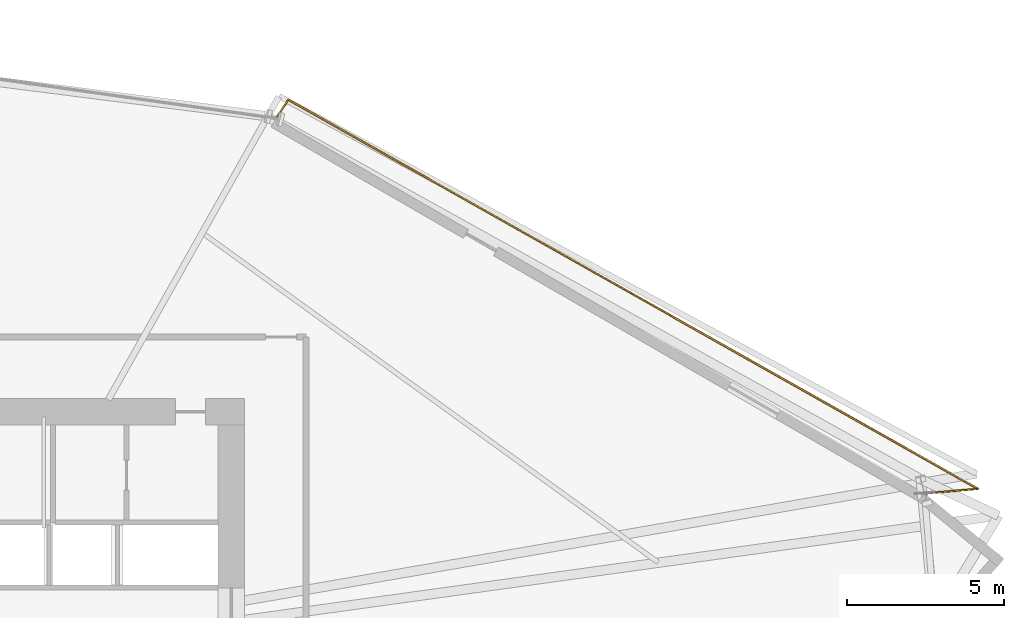
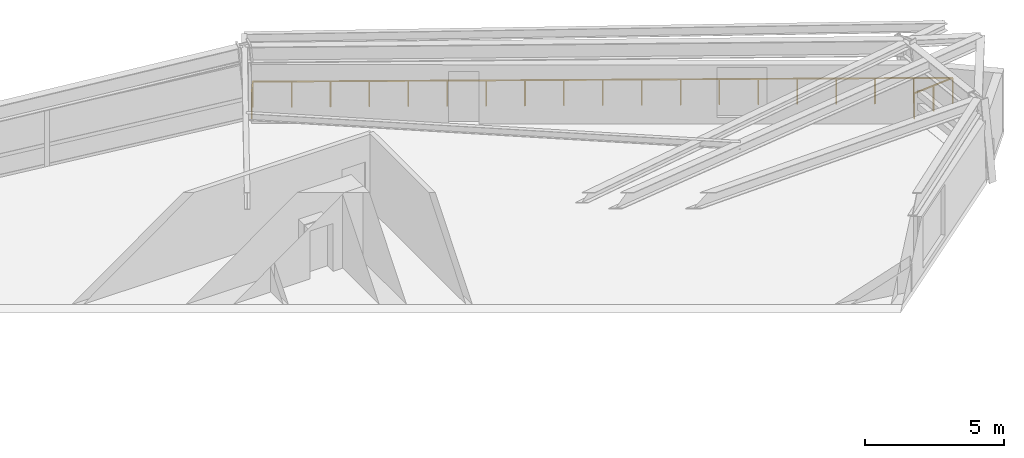
# One storey, part 21 of 21: 1 railing.
"""IFC4 building model written with IfcOpenShell, lengths in metres."""

from ifc_helpers import new_model, si_unit, direction, frame, origin, origin_2d, place, context, subcontext, project, spatial, rectangle, extrude, material, type_object, element, save


model = new_model("IFC4")

# Units and contexts
model_context = context("Model", 3, precision=1e-05, world=origin(), true_north=direction((0.0, 1.0)))
body_context = subcontext(model_context, "Body", "Model", "MODEL_VIEW")
ifc_project = project(units=[si_unit("LENGTHUNIT", "METRE"), si_unit("AREAUNIT", "SQUARE_METRE"), si_unit("VOLUMEUNIT", "CUBIC_METRE"), si_unit("PLANEANGLEUNIT", "RADIAN"), si_unit("MASSUNIT", "GRAM", prefix="KILO")], contexts=[model_context])

# Site, building, storey
site_placement = place(None, origin())
site = spatial("IfcSite", under=ifc_project, at=site_placement, CompositionType="ELEMENT")
building_placement = place(site_placement, origin())
building = spatial("IfcBuilding", under=site, at=building_placement, Name="Olszyna Solenne Hotel", CompositionType="ELEMENT")
storey_placement = place(building_placement, frame((0.0, 0.0, 54.14990234375)))
storey = spatial("IfcBuildingStorey", under=building, at=storey_placement, Name="L13", CompositionType="ELEMENT", Elevation=54.14990234375)

# Railing
ifc_material = material(Name="Anodised bronze aluminium", Category="aluminium")
railing_type = type_object("IfcRailingType", Name="GR-110", PredefinedType="BALUSTRADE", material=ifc_material)
railing_placement = place(storey_placement, frame((68.379638671875, 31.526123046875, 0.0)))
element("IfcRailing", 1, at=railing_placement, inside=storey, type_object=railing_type, Name="Loggia balcony balustrade guard GR-L13-LG1", PredefinedType="BALUSTRADE", context=body_context, shape_type="SweptSolid", body=[
    extrude(rectangle(XDim=0.048095703125, YDim=0.048095703125, at=origin_2d()), frame((0.0, 0.0, 1.1259765625), z_axis=(0.996306897743, 0.085863644866, 0.0), x_axis=(-0.085863644866, 0.996306897743, 0.0)), (0.0, 0.0, 1.0), 1.69189453125),
    extrude(rectangle(XDim=0.048095703125, YDim=0.048095703125, at=origin_2d()), frame((1.685546875, 0.145263671875, 1.1259765625), z_axis=(-0.870787019027, 0.491660418882, 0.0), x_axis=(-0.491660418882, -0.870787019027, 0.0)), (0.0, 0.0, 1.0), 25.18115234375),
    extrude(rectangle(XDim=0.048095703125, YDim=0.048095703125, at=origin_2d()), frame((-20.241943359375, 12.52587890625, 1.1259765625), z_axis=(-0.549686038114, -0.835371330309, 0.0), x_axis=(0.835371330309, -0.549686038114, 0.0)), (0.0, 0.0, 1.0), 0.709228515625),
    extrude(rectangle(XDim=0.0419921875, YDim=0.0419921875, at=origin_2d()), origin(), (0.0, 0.0, 1.0), 1.101806640625),
    extrude(rectangle(XDim=0.0419921875, YDim=0.0419921875, at=origin_2d()), frame((0.8427734375, 0.07275390625, 0.0)), (0.0, 0.0, 1.0), 1.101806640625),
    extrude(rectangle(XDim=0.0419921875, YDim=0.0419921875, at=origin_2d()), frame((1.685546875, 0.145263671875, 0.0)), (0.0, 0.0, 1.0), 1.101806640625),
    extrude(rectangle(XDim=0.0419921875, YDim=0.0419921875, at=origin_2d()), frame((0.46728515625, 0.8330078125, 0.0)), (0.0, 0.0, 1.0), 1.101806640625),
    extrude(rectangle(XDim=0.0419921875, YDim=0.0419921875, at=origin_2d()), frame((-0.750732421875, 1.52099609375, 0.0)), (0.0, 0.0, 1.0), 1.101806640625),
    extrude(rectangle(XDim=0.0419921875, YDim=0.0419921875, at=origin_2d()), frame((-1.968994140625, 2.208740234375, 0.0)), (0.0, 0.0, 1.0), 1.101806640625),
    extrude(rectangle(XDim=0.0419921875, YDim=0.0419921875, at=origin_2d()), frame((-3.187255859375, 2.896484375, 0.0)), (0.0, 0.0, 1.0), 1.101806640625),
    extrude(rectangle(XDim=0.0419921875, YDim=0.0419921875, at=origin_2d()), frame((-4.405517578125, 3.584228515625, 0.0)), (0.0, 0.0, 1.0), 1.101806640625),
    extrude(rectangle(XDim=0.0419921875, YDim=0.0419921875, at=origin_2d()), frame((-5.62353515625, 4.272216796875, 0.0)), (0.0, 0.0, 1.0), 1.101806640625),
    extrude(rectangle(XDim=0.0419921875, YDim=0.0419921875, at=origin_2d()), frame((-6.841796875, 4.9599609375, 0.0)), (0.0, 0.0, 1.0), 1.101806640625),
    extrude(rectangle(XDim=0.0419921875, YDim=0.0419921875, at=origin_2d()), frame((-8.06005859375, 5.647705078125, 0.0)), (0.0, 0.0, 1.0), 1.101806640625),
    extrude(rectangle(XDim=0.0419921875, YDim=0.0419921875, at=origin_2d()), frame((-9.2783203125, 6.33544921875, 0.0)), (0.0, 0.0, 1.0), 1.101806640625),
    extrude(rectangle(XDim=0.0419921875, YDim=0.0419921875, at=origin_2d()), frame((-10.496337890625, 7.0234375, 0.0)), (0.0, 0.0, 1.0), 1.101806640625),
    extrude(rectangle(XDim=0.0419921875, YDim=0.0419921875, at=origin_2d()), frame((-11.714599609375, 7.711181640625, 0.0)), (0.0, 0.0, 1.0), 1.101806640625),
    extrude(rectangle(XDim=0.0419921875, YDim=0.0419921875, at=origin_2d()), frame((-12.932861328125, 8.39892578125, 0.0)), (0.0, 0.0, 1.0), 1.101806640625),
    extrude(rectangle(XDim=0.0419921875, YDim=0.0419921875, at=origin_2d()), frame((-14.15087890625, 9.0869140625, 0.0)), (0.0, 0.0, 1.0), 1.101806640625),
    extrude(rectangle(XDim=0.0419921875, YDim=0.0419921875, at=origin_2d()), frame((-15.369140625, 9.774658203125, 0.0)), (0.0, 0.0, 1.0), 1.101806640625),
    extrude(rectangle(XDim=0.0419921875, YDim=0.0419921875, at=origin_2d()), frame((-16.58740234375, 10.46240234375, 0.0)), (0.0, 0.0, 1.0), 1.101806640625),
    extrude(rectangle(XDim=0.0419921875, YDim=0.0419921875, at=origin_2d()), frame((-17.8056640625, 11.150146484375, 0.0)), (0.0, 0.0, 1.0), 1.101806640625),
    extrude(rectangle(XDim=0.0419921875, YDim=0.0419921875, at=origin_2d()), frame((-19.023681640625, 11.838134765625, 0.0)), (0.0, 0.0, 1.0), 1.101806640625),
    extrude(rectangle(XDim=0.0419921875, YDim=0.0419921875, at=origin_2d()), frame((-20.241943359375, 12.52587890625, 0.0)), (0.0, 0.0, 1.0), 1.101806640625),
    extrude(rectangle(XDim=0.0419921875, YDim=0.0419921875, at=origin_2d()), frame((-20.6318359375, 11.933349609375, 0.0)), (0.0, 0.0, 1.0), 1.101806640625),
])

save(model, "model.ifc")
